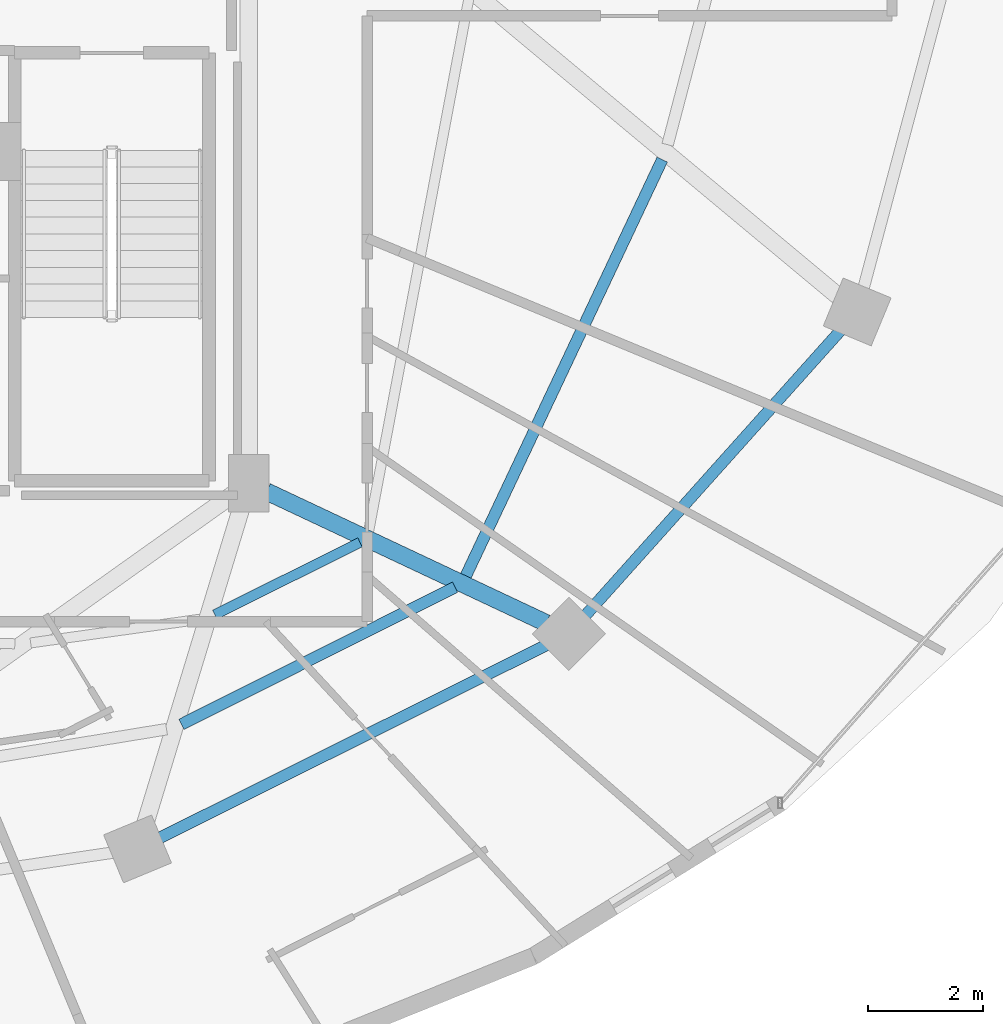
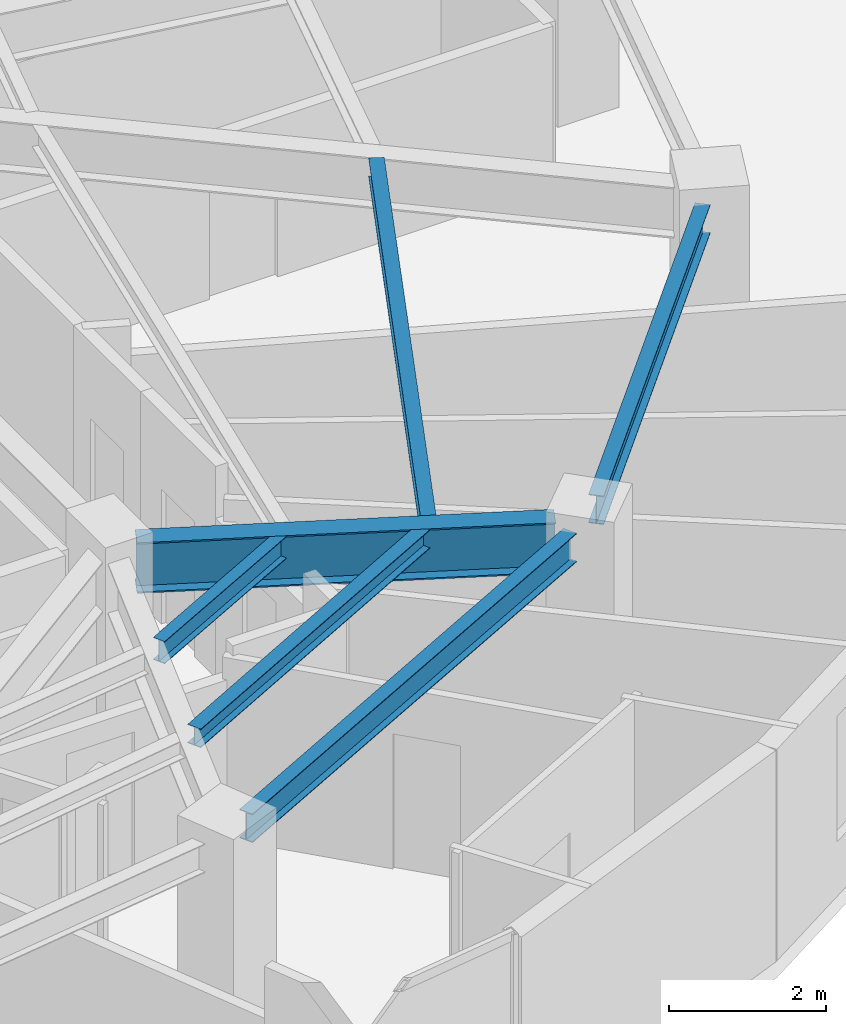
# One storey, part 12 of 33: 6 beams.
"""IFC4 building model written with IfcOpenShell, lengths in metres."""

from ifc_helpers import new_model, si_unit, direction, frame, origin, origin_2d, place, context, subcontext, project, spatial, i_section, extrude, material, material_profile, profile_set, type_object, element, save


model = new_model("IFC4")

# Units and contexts
model_context = context("Model", 3, precision=1e-05, world=origin(), true_north=direction((0.0, 1.0)))
body_context = subcontext(model_context, "Body", "Model", "MODEL_VIEW")
ifc_project = project(units=[si_unit("LENGTHUNIT", "METRE"), si_unit("AREAUNIT", "SQUARE_METRE"), si_unit("VOLUMEUNIT", "CUBIC_METRE"), si_unit("PLANEANGLEUNIT", "RADIAN"), si_unit("MASSUNIT", "GRAM", prefix="KILO")], contexts=[model_context])

# Site, building, storey
site_placement = place(None, origin())
site = spatial("IfcSite", under=ifc_project, at=site_placement, CompositionType="ELEMENT")
building_placement = place(site_placement, origin())
building = spatial("IfcBuilding", under=site, at=building_placement, Name="Vorneva Point Tower", CompositionType="ELEMENT")
storey_placement = place(building_placement, frame((0.0, 0.0, 217.85009765625)))
storey = spatial("IfcBuildingStorey", under=building, at=storey_placement, Name="L59", CompositionType="ELEMENT", Elevation=217.85009765625)

# Beams
ifc_material = material(Name="Steel S355", Category="steel")
ifc_material_profile_1 = material_profile(ifc_material, i_section(OverallWidth=0.300048828125, OverallDepth=0.7880859375, WebThickness=0.014404296875, FlangeThickness=0.02197265625, at=origin_2d()), Name="80Sh1")
ifc_profile_set_1 = profile_set([ifc_material_profile_1], Name="Steel S355")
beam_type_1 = type_object("IfcBeamType", Name="BM-GRD-80Sh1", PredefinedType="USERDEFINED", material=ifc_profile_set_1)
beam_1_placement = place(storey_placement, frame((53.902587890625, 14.0244140625, 2.89599609375), z_axis=(-0.904762899762, 0.42591559635, 0.0), x_axis=(-0.42591559635, -0.904762899762, 0.0)))
element("IfcBeam", 1, at=beam_1_placement, inside=storey, type_object=beam_type_1, Name="L59 Radial Primary Girder 15", ObjectType="GIRDER", PredefinedType="USERDEFINED", context=body_context, shape_type="SweptSolid", body=[
    extrude(i_section(OverallWidth=0.300048828125, OverallDepth=0.7880859375, WebThickness=0.014404296875, FlangeThickness=0.02197265625, at=origin_2d()), origin(), (0.0, 0.0, 1.0), 5.35498046875),
])
ifc_material_profile_2 = material_profile(ifc_material, i_section(OverallWidth=0.199951171875, OverallDepth=0.291015625, WebThickness=0.008056640625, FlangeThickness=0.010986328125, at=origin_2d()), Name="30Sh1")
ifc_profile_set_2 = profile_set([ifc_material_profile_2], Name="Steel S355")
beam_type_2 = type_object("IfcBeamType", Name="BM-SEC-30Sh1", PredefinedType="BEAM", material=ifc_profile_set_2)
beam_2_placement = place(storey_placement, frame((47.58251953125, 12.26904296875, 3.144287109375), z_axis=(0.893966574165, 0.448133645552, 0.0), x_axis=(-0.448133645552, 0.893966574165, 0.0)))
element("IfcBeam", 2, at=beam_2_placement, inside=storey, type_object=beam_type_2, Name="L59 Secondary Floor Beam 1.14", PredefinedType="BEAM", context=body_context, shape_type="SweptSolid", body=[
    extrude(i_section(OverallWidth=0.199951171875, OverallDepth=0.291015625, WebThickness=0.008056640625, FlangeThickness=0.010986328125, at=origin_2d()), origin(), (0.0, 0.0, 1.0), 5.3056640625),
])
beam_3_placement = place(storey_placement, frame((52.5078125, 14.83349609375, 3.144287109375), z_axis=(0.426607826977, 0.90443670976, 0.0), x_axis=(-0.90443670976, 0.426607826977, 0.0)))
element("IfcBeam", 3, at=beam_3_placement, inside=storey, type_object=beam_type_2, Name="L59 Secondary Floor Beam 1.15", PredefinedType="BEAM", context=body_context, shape_type="SweptSolid", body=[
    extrude(i_section(OverallWidth=0.199951171875, OverallDepth=0.291015625, WebThickness=0.008056640625, FlangeThickness=0.010986328125, at=origin_2d()), origin(), (0.0, 0.0, 1.0), 7.988525390625),
])
ifc_material_profile_3 = material_profile(ifc_material, i_section(OverallWidth=0.174072265625, OverallDepth=0.345947265625, WebThickness=0.006103515625, FlangeThickness=0.009033203125, at=origin_2d()), Name="35B1")
ifc_profile_set_3 = profile_set([ifc_material_profile_3], Name="Steel S355")
beam_type_3 = type_object("IfcBeamType", Name="BM-SEC-35B1", PredefinedType="BEAM", material=ifc_profile_set_3)
beam_4_placement = place(storey_placement, frame((48.16162109375, 14.17138671875, 3.116943359375), z_axis=(0.895432586212, 0.445197128865, 0.0), x_axis=(-0.445197128865, 0.895432586212, 0.0)))
element("IfcBeam", 4, at=beam_4_placement, inside=storey, type_object=beam_type_3, Name="L59 Secondary Floor Beam 2.14", PredefinedType="BEAM", context=body_context, shape_type="SweptSolid", body=[
    extrude(i_section(OverallWidth=0.174072265625, OverallDepth=0.345947265625, WebThickness=0.006103515625, FlangeThickness=0.009033203125, at=origin_2d()), origin(), (0.0, 0.0, 1.0), 2.810546875),
])
ifc_material_profile_4 = material_profile(ifc_material, i_section(OverallWidth=0.198974609375, OverallDepth=0.446044921875, WebThickness=0.008056640625, FlangeThickness=0.011962890625, at=origin_2d()), Name="45B1")
ifc_profile_set_4 = profile_set([ifc_material_profile_4], Name="Steel S355")
beam_type_4 = type_object("IfcBeamType", Name="BM-SPN-45B1", PredefinedType="SPANDREL", material=ifc_profile_set_4)
beam_5_placement = place(storey_placement, frame((47.210205078125, 10.303466796875, 3.06689453125), z_axis=(0.894922371084, 0.446221861559, 0.0), x_axis=(-0.446221861559, 0.894922371084, 0.0)))
element("IfcBeam", 5, at=beam_5_placement, inside=storey, type_object=beam_type_4, Name="L59 Perimeter Spandrel Ring Beam 14", PredefinedType="SPANDREL", context=body_context, shape_type="SweptSolid", body=[
    extrude(i_section(OverallWidth=0.198974609375, OverallDepth=0.446044921875, WebThickness=0.008056640625, FlangeThickness=0.011962890625, at=origin_2d()), origin(), (0.0, 0.0, 1.0), 7.48583984375),
])
beam_6_placement = place(storey_placement, frame((54.589111328125, 14.161865234375, 3.06689453125), z_axis=(0.66706970547, 0.744995307397, 0.0), x_axis=(-0.744995307397, 0.66706970547, 0.0)))
element("IfcBeam", 6, at=beam_6_placement, inside=storey, type_object=beam_type_4, Name="L59 Perimeter Spandrel Ring Beam 15", PredefinedType="SPANDREL", context=body_context, shape_type="SweptSolid", body=[
    extrude(i_section(OverallWidth=0.198974609375, OverallDepth=0.446044921875, WebThickness=0.008056640625, FlangeThickness=0.011962890625, at=origin_2d()), origin(), (0.0, 0.0, 1.0), 6.6201171875),
])

save(model, "model.ifc")
